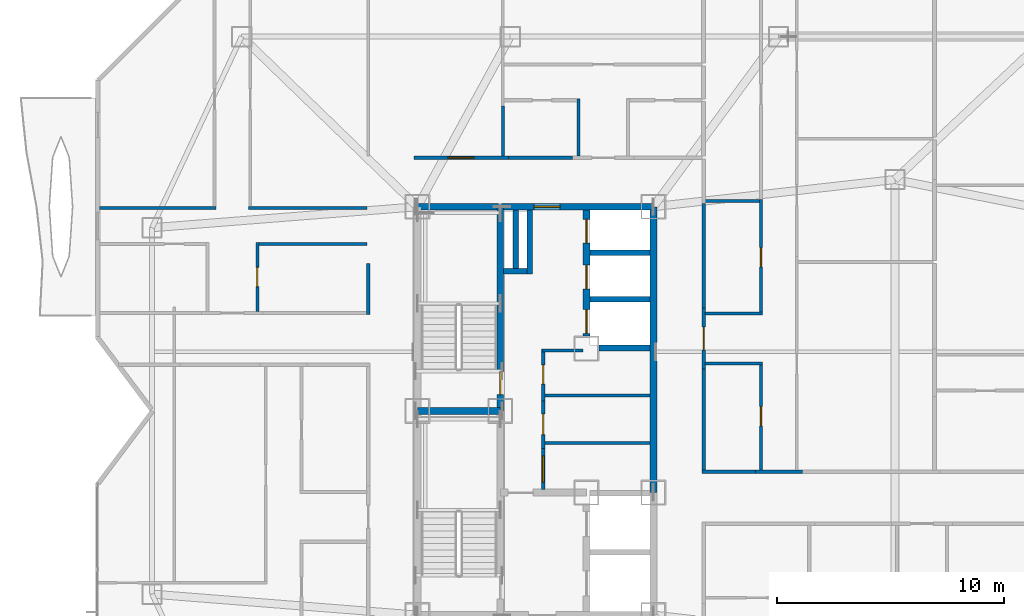
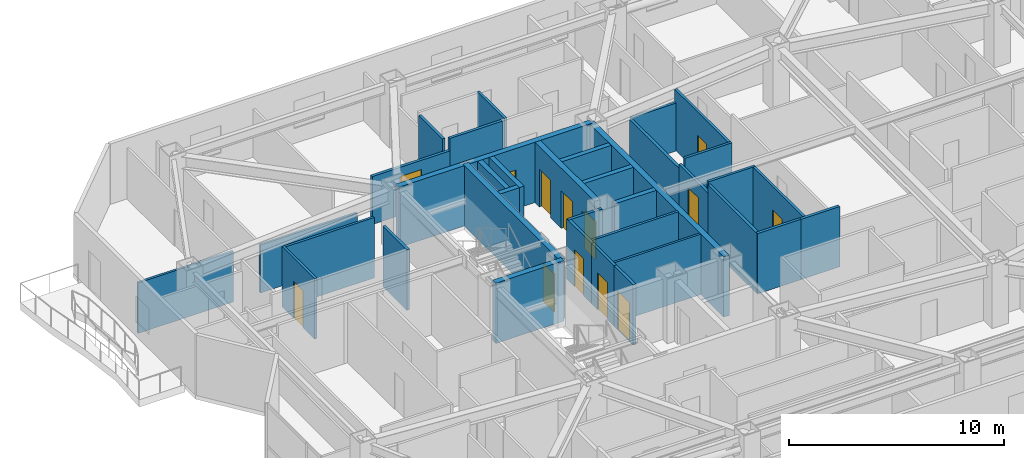
# One storey, part 12 of 17: 36 walls, 13 doors, 13 openings.
"""IFC4 building model written with IfcOpenShell, lengths in metres."""

from ifc_helpers import new_model, si_unit, direction, frame, frame_2d, origin, place, context, subcontext, project, spatial, rectangle, extrude, material, layer, layer_set, type_object, element, fill, save


model = new_model("IFC4")

# Units and contexts
model_context = context("Model", 3, precision=1e-05, world=origin(), true_north=direction((0.0, 1.0)))
body_context = subcontext(model_context, "Body", "Model", "MODEL_VIEW")
ifc_project = project(units=[si_unit("LENGTHUNIT", "METRE"), si_unit("AREAUNIT", "SQUARE_METRE"), si_unit("VOLUMEUNIT", "CUBIC_METRE"), si_unit("PLANEANGLEUNIT", "RADIAN"), si_unit("MASSUNIT", "GRAM", prefix="KILO")], contexts=[model_context])

# Site, building, storey
site_placement = place(None, origin())
site = spatial("IfcSite", under=ifc_project, at=site_placement, CompositionType="ELEMENT")
building_placement = place(site_placement, origin())
building = spatial("IfcBuilding", under=site, at=building_placement, Name="Khamvora Tower", CompositionType="ELEMENT")
storey_placement = place(building_placement, frame((0.0, 0.0, 192.39990234375)))
storey = spatial("IfcBuildingStorey", under=building, at=storey_placement, Name="L49", CompositionType="ELEMENT", Elevation=192.39990234375)

# Wall, opening, door
ifc_material_1 = material(Name="Concrete C50/60", Category="concrete")
ifc_layer_1 = layer(ifc_material_1, 0.300048828125)
ifc_layer_set_1 = layer_set([ifc_layer_1], Name="Concrete C50/60")
wall_type_1 = type_object("IfcWallType", Name="WAL-CORE-300", PredefinedType="SHEAR", material=ifc_layer_set_1)
wall_1_placement = place(storey_placement, frame((29.0, 37.0, 0.0), z_axis=(0.0, 0.0, 1.0), x_axis=(1.0, 0.0, 0.0)))
wall_1 = element("IfcWall", 1, at=wall_1_placement, inside=storey, type_object=wall_type_1, Name="L49 central core north wall", PredefinedType="SHEAR", context=body_context, shape_type="SweptSolid", body=[
    extrude(rectangle(XDim=10.39990234375, YDim=0.300048828125, at=frame_2d((5.199951171875, 0.0))), origin(), (0.0, 0.0, 1.0), 3.43017578125),
])
opening_1_placement = place(wall_1_placement, frame((5.139892578125, 0.0, 0.0)))
opening_1 = element("IfcOpeningElement", 2, at=opening_1_placement, cuts=wall_1, Name="Opening D-SC1", PredefinedType="OPENING", context=body_context, shape_type="SweptSolid", body=[
    extrude(rectangle(XDim=1.14990234375, YDim=2.199951171875, at=frame_2d((0.574951171875, 1.10009765625))), frame((0.0, 0.159912109375, 0.0), z_axis=(0.0, -1.0, 0.0), x_axis=(1.0, 0.0, 0.0)), (0.0, 0.0, 1.0), 0.320068359375),
])
ifc_material_2 = material(Name="Powder-Coated Steel and Hardwood Leaf", Category="steel")
door_type_1 = type_object("IfcDoorType", Name="DOR-SCHL-1150", OperationType="NOTDEFINED", PredefinedType="DOOR", material=ifc_material_2)
door_1_placement = place(opening_1_placement, origin())
door_1 = element("IfcDoor", 3, at=door_1_placement, inside=storey, type_object=door_type_1, Name="L49 north core lobby to corridor fire door", OperationType="SINGLE_SWING_RIGHT", OverallHeight=2.199951171875, OverallWidth=1.14990234375, PredefinedType="DOOR", context=body_context, shape_type="SweptSolid", body=[
    extrude(rectangle(XDim=1.14990234375, YDim=2.199951171875, at=frame_2d((0.574951171875, 1.10009765625))), frame((0.0, 0.02490234375, 0.0), z_axis=(0.0, -1.0, 0.0), x_axis=(1.0, 0.0, 0.0)), (0.0, 0.0, 1.0), 0.050048828125),
])
fill(opening_1, door_1)

# Wall
wall_2_placement = place(storey_placement, frame((39.39990234375, 24.39990234375, 0.0), z_axis=(0.0, 0.0, 1.0), x_axis=(0.0, 1.0, 0.0)))
element("IfcWall", 4, at=wall_2_placement, inside=storey, type_object=wall_type_1, Name="L49 central core east north wall", PredefinedType="SHEAR", context=body_context, shape_type="SweptSolid", body=[
    extrude(rectangle(XDim=12.60009765625, YDim=0.300048828125, at=frame_2d((6.300048828125, 0.0))), origin(), (0.0, 0.0, 1.0), 3.43017578125),
])

# Wall, opening, door
wall_3_placement = place(storey_placement, frame((32.64990234375, 28.0, 0.0), z_axis=(0.0, 0.0, 1.0), x_axis=(0.0, 1.0, 0.0)))
wall_3 = element("IfcWall", 5, at=wall_3_placement, inside=storey, type_object=wall_type_1, Name="L49 central core stair north spine wall", PredefinedType="SHEAR", context=body_context, shape_type="SweptSolid", body=[
    extrude(rectangle(XDim=9.0, YDim=0.300048828125, at=frame_2d((4.5, 0.0))), origin(), (0.0, 0.0, 1.0), 3.43017578125),
])
opening_2_placement = place(wall_3_placement, frame((0.719970703125, 0.0, 0.0)))
opening_2 = element("IfcOpeningElement", 6, at=opening_2_placement, cuts=wall_3, Name="Opening D-ST1", PredefinedType="OPENING", context=body_context, shape_type="SweptSolid", body=[
    extrude(rectangle(XDim=1.0, YDim=2.14990234375, at=frame_2d((0.5, 1.074951171875))), frame((0.0, 0.159912109375, 0.0), z_axis=(0.0, -1.0, 0.0), x_axis=(1.0, 0.0, 0.0)), (0.0, 0.0, 1.0), 0.320068359375),
])
door_type_2 = type_object("IfcDoorType", Name="DOR-STAIR-1000", OperationType="NOTDEFINED", PredefinedType="DOOR", material=ifc_material_2)
door_2_placement = place(opening_2_placement, origin())
door_2 = element("IfcDoor", 7, at=door_2_placement, inside=storey, type_object=door_type_2, Name="L49 exit stair ST-02 fire door", OperationType="SINGLE_SWING_RIGHT", OverallHeight=2.14990234375, OverallWidth=1.0, PredefinedType="DOOR", context=body_context, shape_type="SweptSolid", body=[
    extrude(rectangle(XDim=1.0, YDim=2.14990234375, at=frame_2d((0.5, 1.074951171875))), frame((0.0, 0.02490234375, 0.0), z_axis=(0.0, -1.0, 0.0), x_axis=(1.0, 0.0, 0.0)), (0.0, 0.0, 1.0), 0.050048828125),
])
fill(opening_2, door_2)

# Wall
wall_4_placement = place(storey_placement, frame((29.0, 28.0, 0.0), z_axis=(0.0, 0.0, 1.0), x_axis=(1.0, 0.0, 0.0)))
element("IfcWall", 8, at=wall_4_placement, inside=storey, type_object=wall_type_1, Name="L49 central core stair cross wall", PredefinedType="SHEAR", context=body_context, shape_type="SweptSolid", body=[
    extrude(rectangle(XDim=3.64990234375, YDim=0.300048828125, at=frame_2d((1.824951171875, 0.0))), origin(), (0.0, 0.0, 1.0), 3.43017578125),
])

# Wall, openings, doors
wall_5_placement = place(storey_placement, frame((36.449951171875, 31.300048828125, 0.0), z_axis=(0.0, 0.0, 1.0), x_axis=(0.0, 1.0, 0.0)))
wall_5 = element("IfcWall", 9, at=wall_5_placement, inside=storey, type_object=wall_type_1, Name="L49 central core lift bank central wall", PredefinedType="SHEAR", context=body_context, shape_type="SweptSolid", body=[
    extrude(rectangle(XDim=5.5458984375, YDim=0.300048828125, at=frame_2d((2.77294921875, 0.0))), origin(), (0.0, 0.0, 1.0), 3.43017578125),
])
opening_3_placement = place(wall_5_placement, frame((0.1201171875, 0.0, 0.0)))
opening_3 = element("IfcOpeningElement", 10, at=opening_3_placement, cuts=wall_5, Name="Opening LD-PL", PredefinedType="OPENING", context=body_context, shape_type="SweptSolid", body=[
    extrude(rectangle(XDim=1.050048828125, YDim=2.14990234375, at=frame_2d((0.52490234375, 1.074951171875))), frame((0.0, 0.159912109375, 0.0), z_axis=(0.0, -1.0, 0.0), x_axis=(1.0, 0.0, 0.0)), (0.0, 0.0, 1.0), 0.320068359375),
])
opening_4_placement = place(wall_5_placement, frame((2.074951171875, 0.0, 0.0)))
opening_4 = element("IfcOpeningElement", 11, at=opening_4_placement, cuts=wall_5, Name="Opening LD-PL", PredefinedType="OPENING", context=body_context, shape_type="SweptSolid", body=[
    extrude(rectangle(XDim=1.050048828125, YDim=2.14990234375, at=frame_2d((0.52490234375, 1.074951171875))), frame((0.0, 0.159912109375, 0.0), z_axis=(0.0, -1.0, 0.0), x_axis=(1.0, 0.0, 0.0)), (0.0, 0.0, 1.0), 0.320068359375),
])
opening_5_placement = place(wall_5_placement, frame((4.094970703125, 0.0, 0.0)))
opening_5 = element("IfcOpeningElement", 12, at=opening_5_placement, cuts=wall_5, Name="Opening LD-PL", PredefinedType="OPENING", context=body_context, shape_type="SweptSolid", body=[
    extrude(rectangle(XDim=1.050048828125, YDim=2.14990234375, at=frame_2d((0.52490234375, 1.074951171875))), frame((0.0, 0.159912109375, 0.0), z_axis=(0.0, -1.0, 0.0), x_axis=(1.0, 0.0, 0.0)), (0.0, 0.0, 1.0), 0.320068359375),
])
door_type_3 = type_object("IfcDoorType", Name="DOR-LIFT-1050", OperationType="SLIDING_TO_LEFT", PredefinedType="DOOR", material=ifc_material_2)
door_3_placement = place(opening_3_placement, origin())
door_3 = element("IfcDoor", 13, at=door_3_placement, inside=storey, type_object=door_type_3, Name="L49 lift landing sliding door PH-01", OperationType="SLIDING_TO_LEFT", OverallHeight=2.14990234375, OverallWidth=1.050048828125, PredefinedType="DOOR", context=body_context, shape_type="SweptSolid", body=[
    extrude(rectangle(XDim=1.050048828125, YDim=2.14990234375, at=frame_2d((0.52490234375, 1.074951171875))), frame((0.0, 0.02490234375, 0.0), z_axis=(0.0, -1.0, 0.0), x_axis=(1.0, 0.0, 0.0)), (0.0, 0.0, 1.0), 0.050048828125),
])
fill(opening_3, door_3)
door_4_placement = place(opening_4_placement, origin())
door_4 = element("IfcDoor", 14, at=door_4_placement, inside=storey, type_object=door_type_3, Name="L49 lift landing sliding door PH-02", OperationType="SLIDING_TO_LEFT", OverallHeight=2.14990234375, OverallWidth=1.050048828125, PredefinedType="DOOR", context=body_context, shape_type="SweptSolid", body=[
    extrude(rectangle(XDim=1.050048828125, YDim=2.14990234375, at=frame_2d((0.52490234375, 1.074951171875))), frame((0.0, 0.02490234375, 0.0), z_axis=(0.0, -1.0, 0.0), x_axis=(1.0, 0.0, 0.0)), (0.0, 0.0, 1.0), 0.050048828125),
])
fill(opening_4, door_4)
door_5_placement = place(opening_5_placement, origin())
door_5 = element("IfcDoor", 15, at=door_5_placement, inside=storey, type_object=door_type_3, Name="L49 lift landing sliding door PH-03", OperationType="SLIDING_TO_LEFT", OverallHeight=2.14990234375, OverallWidth=1.050048828125, PredefinedType="DOOR", context=body_context, shape_type="SweptSolid", body=[
    extrude(rectangle(XDim=1.050048828125, YDim=2.14990234375, at=frame_2d((0.52490234375, 1.074951171875))), frame((0.0, 0.02490234375, 0.0), z_axis=(0.0, -1.0, 0.0), x_axis=(1.0, 0.0, 0.0)), (0.0, 0.0, 1.0), 0.050048828125),
])
fill(opening_5, door_5)

# Wall
ifc_material_3 = material(Name="Fire-Rated Drywall and Steel Stud", Category="steel")
ifc_layer_2 = layer(ifc_material_3, 0.14990234375)
ifc_layer_set_2 = layer_set([ifc_layer_2], Name="Fire-Rated Drywall and Steel Stud")
wall_type_2 = type_object("IfcWallType", Name="WAL-CORR-150", PredefinedType="STANDARD", material=ifc_layer_set_2)
wall_6_placement = place(storey_placement, frame((36.300048828125, 30.6650390625, 0.0), z_axis=(0.0, 0.0, 1.0), x_axis=(-1.0, 0.0, 0.0)))
element("IfcWall", 16, at=wall_6_placement, inside=storey, type_object=wall_type_2, Name="L49 interior partition wall 001", PredefinedType="STANDARD", context=body_context, shape_type="SweptSolid", body=[
    extrude(rectangle(XDim=1.820068359375, YDim=0.14990234375, at=frame_2d((0.91015625, 0.0))), origin(), (0.0, 0.0, 1.0), 3.43017578125),
])

# Wall, opening, door
wall_7_placement = place(storey_placement, frame((34.544921875, 30.72998046875, 0.0), z_axis=(0.0, 0.0, 1.0), x_axis=(0.0, -1.0, 0.0)))
wall_7 = element("IfcWall", 17, at=wall_7_placement, inside=storey, type_object=wall_type_2, Name="L49 interior partition wall 002", PredefinedType="STANDARD", context=body_context, shape_type="SweptSolid", body=[
    extrude(rectangle(XDim=2.2939453125, YDim=0.14990234375, at=frame_2d((1.14697265625, 0.0))), origin(), (0.0, 0.0, 1.0), 3.43017578125),
])
opening_6_placement = place(wall_7_placement, frame((0.700927734375, 0.0, 0.0)))
opening_6 = element("IfcOpeningElement", 18, at=opening_6_placement, cuts=wall_7, Name="Opening D-WC1", PredefinedType="OPENING", context=body_context, shape_type="SweptSolid", body=[
    extrude(rectangle(XDim=0.85009765625, YDim=2.10009765625, at=frame_2d((0.425048828125, 1.050048828125))), frame((0.0, 0.0849609375, 0.0), z_axis=(0.0, -1.0, 0.0), x_axis=(1.0, 0.0, 0.0)), (0.0, 0.0, 1.0), 0.169921875),
])
door_type_4 = type_object("IfcDoorType", Name="DOR-WET-850", OperationType="NOTDEFINED", PredefinedType="DOOR", material=ifc_material_2)
door_6_placement = place(opening_6_placement, origin())
door_6 = element("IfcDoor", 19, at=door_6_placement, inside=storey, type_object=door_type_4, Name="L49 interior door PHL-CS1", OperationType="SINGLE_SWING_LEFT", OverallHeight=2.10009765625, OverallWidth=0.85009765625, PredefinedType="DOOR", context=body_context, shape_type="SweptSolid", body=[
    extrude(rectangle(XDim=0.85009765625, YDim=2.10009765625, at=frame_2d((0.425048828125, 1.050048828125))), frame((0.0, 0.02490234375, 0.0), z_axis=(0.0, -1.0, 0.0), x_axis=(1.0, 0.0, 0.0)), (0.0, 0.0, 1.0), 0.050048828125),
])
fill(opening_6, door_6)

wall_8_placement = place(storey_placement, frame((34.544921875, 28.43603515625, 0.0), z_axis=(0.0, 0.0, 1.0), x_axis=(0.0, -1.0, 0.0)))
wall_8 = element("IfcWall", 20, at=wall_8_placement, inside=storey, type_object=wall_type_2, Name="L49 interior partition wall 003", PredefinedType="STANDARD", context=body_context, shape_type="SweptSolid", body=[
    extrude(rectangle(XDim=2.10009765625, YDim=0.14990234375, at=frame_2d((1.050048828125, 0.0))), origin(), (0.0, 0.0, 1.0), 3.43017578125),
])
opening_7_placement = place(wall_8_placement, frame((0.5791015625, 0.0, 0.0)))
opening_7 = element("IfcOpeningElement", 21, at=opening_7_placement, cuts=wall_8, Name="Opening D-RM1", PredefinedType="OPENING", context=body_context, shape_type="SweptSolid", body=[
    extrude(rectangle(XDim=0.89990234375, YDim=2.10009765625, at=frame_2d((0.449951171875, 1.050048828125))), frame((0.0, 0.0849609375, 0.0), z_axis=(0.0, -1.0, 0.0), x_axis=(1.0, 0.0, 0.0)), (0.0, 0.0, 1.0), 0.169921875),
])
door_type_5 = type_object("IfcDoorType", Name="DOR-ROOM-900", OperationType="NOTDEFINED", PredefinedType="DOOR", material=ifc_material_2)
door_7_placement = place(opening_7_placement, origin())
door_7 = element("IfcDoor", 22, at=door_7_placement, inside=storey, type_object=door_type_5, Name="L49 interior door PHL-CS2", OperationType="SINGLE_SWING_RIGHT", OverallHeight=2.10009765625, OverallWidth=0.89990234375, PredefinedType="DOOR", context=body_context, shape_type="SweptSolid", body=[
    extrude(rectangle(XDim=0.89990234375, YDim=2.10009765625, at=frame_2d((0.449951171875, 1.050048828125))), frame((0.0, 0.02490234375, 0.0), z_axis=(0.0, -1.0, 0.0), x_axis=(1.0, 0.0, 0.0)), (0.0, 0.0, 1.0), 0.050048828125),
])
fill(opening_7, door_7)

wall_9_placement = place(storey_placement, frame((34.544921875, 26.3359375, 0.0), z_axis=(0.0, 0.0, 1.0), x_axis=(0.0, -1.0, 0.0)))
wall_9 = element("IfcWall", 23, at=wall_9_placement, inside=storey, type_object=wall_type_2, Name="L49 interior partition wall 004", PredefinedType="STANDARD", context=body_context, shape_type="SweptSolid", body=[
    extrude(rectangle(XDim=1.7919921875, YDim=0.14990234375, at=frame_2d((0.89599609375, 0.0))), origin(), (0.0, 0.0, 1.0), 3.43017578125),
])
opening_8_placement = place(wall_9_placement, frame((0.321044921875, 0.0, 0.0)))
opening_8 = element("IfcOpeningElement", 24, at=opening_8_placement, cuts=wall_9, Name="Opening D-SC1", PredefinedType="OPENING", context=body_context, shape_type="SweptSolid", body=[
    extrude(rectangle(XDim=1.14990234375, YDim=2.199951171875, at=frame_2d((0.574951171875, 1.10009765625))), frame((0.0, 0.0849609375, 0.0), z_axis=(0.0, -1.0, 0.0), x_axis=(1.0, 0.0, 0.0)), (0.0, 0.0, 1.0), 0.169921875),
])
door_8_placement = place(opening_8_placement, origin())
door_8 = element("IfcDoor", 25, at=door_8_placement, inside=storey, type_object=door_type_1, Name="L49 interior door PHL-CS3", OperationType="SINGLE_SWING_LEFT", OverallHeight=2.199951171875, OverallWidth=1.14990234375, PredefinedType="DOOR", context=body_context, shape_type="SweptSolid", body=[
    extrude(rectangle(XDim=1.14990234375, YDim=2.199951171875, at=frame_2d((0.574951171875, 1.10009765625))), frame((0.0, 0.02490234375, 0.0), z_axis=(0.0, -1.0, 0.0), x_axis=(1.0, 0.0, 0.0)), (0.0, 0.0, 1.0), 0.050048828125),
])
fill(opening_8, door_8)

wall_10_placement = place(storey_placement, frame((28.85009765625, 39.1650390625, 0.0), z_axis=(0.0, 0.0, 1.0), x_axis=(1.0, 0.0, 0.0)))
wall_10 = element("IfcWall", 26, at=wall_10_placement, inside=storey, type_object=wall_type_2, Name="L49 interior partition wall 007", PredefinedType="STANDARD", context=body_context, shape_type="SweptSolid", body=[
    extrude(rectangle(XDim=4.163818359375, YDim=0.14990234375, at=frame_2d((2.08203125, 0.0))), origin(), (0.0, 0.0, 1.0), 2.72509765625),
])
opening_9_placement = place(wall_10_placement, frame((1.486083984375, 0.0, 0.0)))
opening_9 = element("IfcOpeningElement", 27, at=opening_9_placement, cuts=wall_10, Name="Opening D-SC1", PredefinedType="OPENING", context=body_context, shape_type="SweptSolid", body=[
    extrude(rectangle(XDim=1.14990234375, YDim=2.199951171875, at=frame_2d((0.574951171875, 1.10009765625))), frame((0.0, 0.0849609375, 0.0), z_axis=(0.0, -1.0, 0.0), x_axis=(1.0, 0.0, 0.0)), (0.0, 0.0, 1.0), 0.169921875),
])
door_9_placement = place(opening_9_placement, origin())
door_9 = element("IfcDoor", 28, at=door_9_placement, inside=storey, type_object=door_type_1, Name="L49 interior door COR-FSTD", OperationType="SINGLE_SWING_RIGHT", OverallHeight=2.199951171875, OverallWidth=1.14990234375, PredefinedType="DOOR", context=body_context, shape_type="SweptSolid", body=[
    extrude(rectangle(XDim=1.14990234375, YDim=2.199951171875, at=frame_2d((0.574951171875, 1.10009765625))), frame((0.0, 0.02490234375, 0.0), z_axis=(0.0, -1.0, 0.0), x_axis=(1.0, 0.0, 0.0)), (0.0, 0.0, 1.0), 0.050048828125),
])
fill(opening_9, door_9)

# Walls
wall_11_placement = place(storey_placement, frame((26.8349609375, 32.251953125, 0.0), z_axis=(0.0, 0.0, 1.0), x_axis=(0.0, 1.0, 0.0)))
element("IfcWall", 29, at=wall_11_placement, inside=storey, type_object=wall_type_2, Name="L49 interior partition wall 019", PredefinedType="STANDARD", context=body_context, shape_type="SweptSolid", body=[
    extrude(rectangle(XDim=2.248046875, YDim=0.14990234375, at=frame_2d((1.1240234375, 0.0))), origin(), (0.0, 0.0, 1.0), 3.43017578125),
])
wall_12_placement = place(storey_placement, frame((33.013916015625, 39.1650390625, 0.0), z_axis=(0.0, 0.0, 1.0), x_axis=(1.0, 0.0, 0.0)))
element("IfcWall", 30, at=wall_12_placement, inside=storey, type_object=wall_type_2, Name="L49 interior partition wall 024", PredefinedType="STANDARD", context=body_context, shape_type="SweptSolid", body=[
    extrude(rectangle(XDim=2.8271484375, YDim=0.14990234375, at=frame_2d((1.41357421875, 0.0))), origin(), (0.0, 0.0, 1.0), 3.43017578125),
])

# Wall, opening, door
wall_13_placement = place(storey_placement, frame((41.614990234375, 32.5400390625, 0.0), z_axis=(0.0, 0.0, 1.0), x_axis=(0.0, -1.0, 0.0)))
wall_13 = element("IfcWall", 31, at=wall_13_placement, inside=storey, type_object=wall_type_2, Name="L49 interior partition wall 035", PredefinedType="STANDARD", context=body_context, shape_type="SweptSolid", body=[
    extrude(rectangle(XDim=2.697998046875, YDim=0.14990234375, at=frame_2d((1.34912109375, 0.0))), origin(), (0.0, 0.0, 1.0), 2.961181640625),
])
opening_10_placement = place(wall_13_placement, frame((0.84912109375, 0.0, 0.0)))
opening_10 = element("IfcOpeningElement", 32, at=opening_10_placement, cuts=wall_13, Name="Opening D-U1", PredefinedType="OPENING", context=body_context, shape_type="SweptSolid", body=[
    extrude(rectangle(XDim=1.0, YDim=2.14990234375, at=frame_2d((0.5, 1.074951171875))), frame((0.0, 0.0849609375, 0.0), z_axis=(0.0, -1.0, 0.0), x_axis=(1.0, 0.0, 0.0)), (0.0, 0.0, 1.0), 0.169921875),
])
door_type_6 = type_object("IfcDoorType", Name="DOR-UNIT-1000", OperationType="NOTDEFINED", PredefinedType="DOOR", material=ifc_material_2)
door_10_placement = place(opening_10_placement, origin())
door_10 = element("IfcDoor", 33, at=door_10_placement, inside=storey, type_object=door_type_6, Name="L49 interior door COR-49EBH", OperationType="SINGLE_SWING_RIGHT", OverallHeight=2.14990234375, OverallWidth=1.0, PredefinedType="DOOR", context=body_context, shape_type="SweptSolid", body=[
    extrude(rectangle(XDim=1.0, YDim=2.14990234375, at=frame_2d((0.5, 1.074951171875))), frame((0.0, 0.02490234375, 0.0), z_axis=(0.0, -1.0, 0.0), x_axis=(1.0, 0.0, 0.0)), (0.0, 0.0, 1.0), 0.050048828125),
])
fill(opening_10, door_10)

# Walls
wall_14_placement = place(storey_placement, frame((43.89599609375, 25.31494140625, 0.0), z_axis=(0.0, 0.0, 1.0), x_axis=(1.0, 0.0, 0.0)))
element("IfcWall", 34, at=wall_14_placement, inside=storey, type_object=wall_type_2, Name="L49 interior partition wall 036", PredefinedType="STANDARD", context=body_context, shape_type="SweptSolid", body=[
    extrude(rectangle(XDim=2.078125, YDim=0.14990234375, at=frame_2d((1.0390625, 0.0))), origin(), (0.0, 0.0, 1.0), 3.43017578125),
])
wall_15_placement = place(storey_placement, frame((41.614990234375, 29.842041015625, 0.0), z_axis=(0.0, 0.0, 1.0), x_axis=(0.0, -1.0, 0.0)))
element("IfcWall", 35, at=wall_15_placement, inside=storey, type_object=wall_type_2, Name="L49 interior partition wall 037", PredefinedType="STANDARD", context=body_context, shape_type="SweptSolid", body=[
    extrude(rectangle(XDim=4.592041015625, YDim=0.14990234375, at=frame_2d((2.2958984375, 0.0))), origin(), (0.0, 0.0, 1.0), 3.43017578125),
])
wall_16_placement = place(storey_placement, frame((41.550048828125, 25.31494140625, 0.0), z_axis=(0.0, 0.0, 1.0), x_axis=(1.0, 0.0, 0.0)))
element("IfcWall", 36, at=wall_16_placement, inside=storey, type_object=wall_type_2, Name="L49 interior partition wall 038", PredefinedType="STANDARD", context=body_context, shape_type="SweptSolid", body=[
    extrude(rectangle(XDim=2.345947265625, YDim=0.14990234375, at=frame_2d((1.1728515625, 0.0))), origin(), (0.0, 0.0, 1.0), 3.43017578125),
])
wall_17_placement = place(storey_placement, frame((41.614990234375, 37.14990234375, 0.0), z_axis=(0.0, 0.0, 1.0), x_axis=(0.0, -1.0, 0.0)))
element("IfcWall", 37, at=wall_17_placement, inside=storey, type_object=wall_type_2, Name="L49 interior partition wall 039", PredefinedType="STANDARD", context=body_context, shape_type="SweptSolid", body=[
    extrude(rectangle(XDim=4.60986328125, YDim=0.14990234375, at=frame_2d((2.304931640625, 0.0))), origin(), (0.0, 0.0, 1.0), 2.72509765625),
])
ifc_material_4 = material(Name="Gypsum Plasterboard Partition", Category="gypsum")
ifc_layer_3 = layer(ifc_material_4, 0.1201171875)
ifc_layer_set_3 = layer_set([ifc_layer_3], Name="Gypsum Plasterboard Partition")
wall_type_3 = type_object("IfcWallType", Name="WAL-PART-120", PredefinedType="PARTITIONING", material=ifc_layer_set_3)
wall_18_placement = place(storey_placement, frame((39.256103515625, 26.5849609375, 0.0), z_axis=(0.0, 0.0, 1.0), x_axis=(-1.0, 0.0, 0.0)))
element("IfcWall", 38, at=wall_18_placement, inside=storey, type_object=wall_type_3, Name="L49 interior partition wall 006", PredefinedType="PARTITIONING", context=body_context, shape_type="SweptSolid", body=[
    extrude(rectangle(XDim=4.64404296875, YDim=0.1201171875, at=frame_2d((2.322021484375, 0.0))), origin(), (0.0, 0.0, 1.0), 3.43017578125),
])
wall_19_placement = place(storey_placement, frame((14.991943359375, 36.94091796875, 0.0), z_axis=(0.0, 0.0, 1.0), x_axis=(1.0, 0.0, 0.0)))
element("IfcWall", 39, at=wall_19_placement, inside=storey, type_object=wall_type_3, Name="L49 interior partition wall 069", PredefinedType="PARTITIONING", context=body_context, shape_type="SweptSolid", body=[
    extrude(rectangle(XDim=5.128173828125, YDim=0.1201171875, at=frame_2d((2.56396484375, 0.0))), origin(), (0.0, 0.0, 1.0), 2.8759765625),
])
wall_20_placement = place(storey_placement, frame((21.56005859375, 36.94091796875, 0.0), z_axis=(0.0, 0.0, 1.0), x_axis=(1.0, 0.0, 0.0)))
element("IfcWall", 40, at=wall_20_placement, inside=storey, type_object=wall_type_3, Name="L49 interior partition wall 072", PredefinedType="PARTITIONING", context=body_context, shape_type="SweptSolid", body=[
    extrude(rectangle(XDim=5.2099609375, YDim=0.1201171875, at=frame_2d((2.60498046875, 0.0))), origin(), (0.0, 0.0, 1.0), 2.72509765625),
])
ifc_material_5 = material(Name="Concrete C40/50", Category="concrete")
ifc_layer_4 = layer(ifc_material_5, 0.25)
ifc_layer_set_4 = layer_set([ifc_layer_4], Name="Concrete C40/50")
wall_type_4 = type_object("IfcWallType", Name="WAL-PODS-250", PredefinedType="SHEAR", material=ifc_layer_set_4)
wall_21_placement = place(storey_placement, frame((37.00390625, 30.77490234375, 0.0), z_axis=(0.0, 0.0, 1.0), x_axis=(1.0, 0.0, 0.0)))
element("IfcWall", 41, at=wall_21_placement, inside=storey, type_object=wall_type_4, Name="L49 high-rise lift shaft south enclosure wall PH-01", PredefinedType="SHEAR", context=body_context, shape_type="SweptSolid", body=[
    extrude(rectangle(XDim=2.2421875, YDim=0.25, at=frame_2d((1.12109375, 0.0))), origin(), (0.0, 0.0, 1.0), 3.43017578125),
])
for number, where, z_axis, x_axis, name in (
    (42, (36.60400390625, 32.925048828125, 0.0), (0.0, 0.0, 1.0), (1.0, 0.0, 0.0), "L49 lift shaft divider wall PH-01"),
    (43, (36.60400390625, 34.97509765625, 0.0), (0.0, 0.0, 1.0), (1.0, 0.0, 0.0), "L49 lift shaft divider wall PH-02"),
):
    element("IfcWall", number, at=place(storey_placement, frame(where, z_axis=z_axis, x_axis=x_axis)), inside=storey, type_object=wall_type_4, Name=name, PredefinedType="SHEAR", context=body_context, shape_type="SweptSolid", body=[
        extrude(rectangle(XDim=2.64208984375, YDim=0.25, at=frame_2d((1.321044921875, 0.0))), origin(), (0.0, 0.0, 1.0), 3.43017578125),
    ])
wall_22_placement = place(storey_placement, frame((33.955078125, 34.02490234375, 0.0), z_axis=(0.0, 0.0, 1.0), x_axis=(0.0, 1.0, 0.0)))
element("IfcWall", 44, at=wall_22_placement, inside=storey, type_object=wall_type_4, Name="L49 vertical MEP riser shaft east enclosure wall", PredefinedType="SHEAR", context=body_context, shape_type="SweptSolid", body=[
    extrude(rectangle(XDim=2.821044921875, YDim=0.25, at=frame_2d((1.41064453125, 0.0))), origin(), (0.0, 0.0, 1.0), 3.43017578125),
])
wall_23_placement = place(storey_placement, frame((32.803955078125, 34.14990234375, 0.0), z_axis=(0.0, 0.0, 1.0), x_axis=(1.0, 0.0, 0.0)))
element("IfcWall", 45, at=wall_23_placement, inside=storey, type_object=wall_type_4, Name="L49 vertical MEP riser shaft south enclosure wall", PredefinedType="SHEAR", context=body_context, shape_type="SweptSolid", body=[
    extrude(rectangle(XDim=1.02197265625, YDim=0.25, at=frame_2d((0.510986328125, 0.0))), origin(), (0.0, 0.0, 1.0), 3.43017578125),
])
wall_24_placement = place(storey_placement, frame((33.340087890625, 34.279052734375, 0.0), z_axis=(0.0, 0.0, 1.0), x_axis=(0.0, 1.0, 0.0)))
element("IfcWall", 46, at=wall_24_placement, inside=storey, type_object=wall_type_4, Name="L49 vertical MEP riser shaft divider enclosure wall", PredefinedType="SHEAR", context=body_context, shape_type="SweptSolid", body=[
    extrude(rectangle(XDim=2.56689453125, YDim=0.25, at=frame_2d((1.283447265625, 0.0))), origin(), (0.0, 0.0, 1.0), 3.43017578125),
])
ifc_material_6 = material(Name="Moisture-Resistant Plasterboard Partition", Category="gypsum")
ifc_layer_5 = layer(ifc_material_6, 0.135009765625)
ifc_layer_set_5 = layer_set([ifc_layer_5], Name="Moisture-Resistant Plasterboard Partition")
wall_type_5 = type_object("IfcWallType", Name="WAL-WET-135", PredefinedType="PARTITIONING", material=ifc_layer_set_5)
wall_25_placement = place(storey_placement, frame((39.256103515625, 28.68505859375, 0.0), z_axis=(0.0, 0.0, 1.0), x_axis=(-1.0, 0.0, 0.0)))
element("IfcWall", 47, at=wall_25_placement, inside=storey, type_object=wall_type_5, Name="L49 interior partition wall 005", PredefinedType="PARTITIONING", context=body_context, shape_type="SweptSolid", body=[
    extrude(rectangle(XDim=4.64404296875, YDim=0.135009765625, at=frame_2d((2.322021484375, 0.0))), origin(), (0.0, 0.0, 1.0), 3.43017578125),
])
wall_26_placement = place(storey_placement, frame((32.764892578125, 41.446044921875, 0.0), z_axis=(0.0, 0.0, 1.0), x_axis=(0.0, -1.0, 0.0)))
element("IfcWall", 48, at=wall_26_placement, inside=storey, type_object=wall_type_5, Name="L49 interior partition wall 046", PredefinedType="PARTITIONING", context=body_context, shape_type="SweptSolid", body=[
    extrude(rectangle(XDim=2.214111328125, YDim=0.135009765625, at=frame_2d((1.10693359375, 0.0))), origin(), (0.0, 0.0, 1.0), 3.43017578125),
])
wall_27_placement = place(storey_placement, frame((26.77001953125, 35.361083984375, 0.0), z_axis=(0.0, 0.0, 1.0), x_axis=(-1.0, 0.0, 0.0)))
element("IfcWall", 49, at=wall_27_placement, inside=storey, type_object=wall_type_5, Name="L49 interior partition wall 067", PredefinedType="PARTITIONING", context=body_context, shape_type="SweptSolid", body=[
    extrude(rectangle(XDim=4.89501953125, YDim=0.135009765625, at=frame_2d((2.447509765625, 0.0))), origin(), (0.0, 0.0, 1.0), 3.43017578125),
])

# Wall, opening, door
wall_28_placement = place(storey_placement, frame((21.93994140625, 35.426025390625, 0.0), z_axis=(0.0, 0.0, 1.0), x_axis=(0.0, -1.0, 0.0)))
wall_28 = element("IfcWall", 50, at=wall_28_placement, inside=storey, type_object=wall_type_5, Name="L49 interior partition wall 068", PredefinedType="PARTITIONING", context=body_context, shape_type="SweptSolid", body=[
    extrude(rectangle(XDim=3.046142578125, YDim=0.135009765625, at=frame_2d((1.52294921875, 0.0))), origin(), (0.0, 0.0, 1.0), 3.43017578125),
])
opening_11_placement = place(wall_28_placement, frame((1.097900390625, 0.0, 0.0)))
opening_11 = element("IfcOpeningElement", 51, at=opening_11_placement, cuts=wall_28, Name="Opening D-RM2", PredefinedType="OPENING", context=body_context, shape_type="SweptSolid", body=[
    extrude(rectangle(XDim=0.85009765625, YDim=2.10009765625, at=frame_2d((0.425048828125, 1.050048828125))), frame((0.0, 0.077392578125, 0.0), z_axis=(0.0, -1.0, 0.0), x_axis=(1.0, 0.0, 0.0)), (0.0, 0.0, 1.0), 0.155029296875),
])
door_type_7 = type_object("IfcDoorType", Name="DOR-ROOM-850", OperationType="NOTDEFINED", PredefinedType="DOOR", material=ifc_material_2)
door_11_placement = place(opening_11_placement, origin())
door_11 = element("IfcDoor", 52, at=door_11_placement, inside=storey, type_object=door_type_7, Name="L49 interior door 49WBH-49WBK", OperationType="SINGLE_SWING_RIGHT", OverallHeight=2.10009765625, OverallWidth=0.85009765625, PredefinedType="DOOR", context=body_context, shape_type="SweptSolid", body=[
    extrude(rectangle(XDim=0.85009765625, YDim=2.10009765625, at=frame_2d((0.425048828125, 1.050048828125))), frame((0.0, 0.02490234375, 0.0), z_axis=(0.0, -1.0, 0.0), x_axis=(1.0, 0.0, 0.0)), (0.0, 0.0, 1.0), 0.050048828125),
])
fill(opening_11, door_11)

# Walls
wall_29_placement = place(storey_placement, frame((36.090087890625, 39.23193359375, 0.0), z_axis=(0.0, 0.0, 1.0), x_axis=(0.0, 1.0, 0.0)))
element("IfcWall", 53, at=wall_29_placement, inside=storey, type_object=wall_type_5, Name="L49 interior partition wall 084", PredefinedType="PARTITIONING", context=body_context, shape_type="SweptSolid", body=[
    extrude(rectangle(XDim=2.528076171875, YDim=0.135009765625, at=frame_2d((1.26416015625, 0.0))), origin(), (0.0, 0.0, 1.0), 3.43017578125),
])
wall_30_placement = place(storey_placement, frame((44.080078125, 37.256103515625, 0.0), z_axis=(0.0, 0.0, 1.0), x_axis=(-1.0, 0.0, 0.0)))
element("IfcWall", 54, at=wall_30_placement, inside=storey, type_object=wall_type_5, Name="L49 interior partition wall 109", PredefinedType="PARTITIONING", context=body_context, shape_type="SweptSolid", body=[
    extrude(rectangle(XDim=2.398193359375, YDim=0.135009765625, at=frame_2d((1.19921875, 0.0))), origin(), (0.0, 0.0, 1.0), 2.72509765625),
])

# Wall, opening, door
wall_31_placement = place(storey_placement, frame((44.14501953125, 25.382080078125, 0.0), z_axis=(0.0, 0.0, 1.0), x_axis=(0.0, 1.0, 0.0)))
wall_31 = element("IfcWall", 55, at=wall_31_placement, inside=storey, type_object=wall_type_5, Name="L49 interior partition wall 110", PredefinedType="PARTITIONING", context=body_context, shape_type="SweptSolid", body=[
    extrude(rectangle(XDim=4.77392578125, YDim=0.135009765625, at=frame_2d((2.386962890625, 0.0))), origin(), (0.0, 0.0, 1.0), 3.43017578125),
])
opening_12_placement = place(wall_31_placement, frame((1.9619140625, 0.0, 0.0)))
opening_12 = element("IfcOpeningElement", 56, at=opening_12_placement, cuts=wall_31, Name="Opening D-WC1", PredefinedType="OPENING", context=body_context, shape_type="SweptSolid", body=[
    extrude(rectangle(XDim=0.85009765625, YDim=2.10009765625, at=frame_2d((0.425048828125, 1.050048828125))), frame((0.0, 0.077392578125, 0.0), z_axis=(0.0, -1.0, 0.0), x_axis=(1.0, 0.0, 0.0)), (0.0, 0.0, 1.0), 0.155029296875),
])
door_12_placement = place(opening_12_placement, origin())
door_12 = element("IfcDoor", 57, at=door_12_placement, inside=storey, type_object=door_type_4, Name="L49 interior door 49EBH-49EBB", OperationType="SINGLE_SWING_LEFT", OverallHeight=2.10009765625, OverallWidth=0.85009765625, PredefinedType="DOOR", context=body_context, shape_type="SweptSolid", body=[
    extrude(rectangle(XDim=0.85009765625, YDim=2.10009765625, at=frame_2d((0.425048828125, 1.050048828125))), frame((0.0, 0.02490234375, 0.0), z_axis=(0.0, -1.0, 0.0), x_axis=(1.0, 0.0, 0.0)), (0.0, 0.0, 1.0), 0.050048828125),
])
fill(opening_12, door_12)

# Walls
for number, where, z_axis, x_axis, name in (
    (58, (44.2099609375, 30.091064453125, 0.0), (0.0, 0.0, 1.0), (-1.0, 0.0, 0.0), "L49 interior partition wall 111"),
    (59, (41.681884765625, 32.291015625, 0.0), (0.0, 0.0, 1.0), (1.0, 0.0, 0.0), "L49 interior partition wall 112"),
):
    element("IfcWall", number, at=place(storey_placement, frame(where, z_axis=z_axis, x_axis=x_axis)), inside=storey, type_object=wall_type_5, Name=name, PredefinedType="PARTITIONING", context=body_context, shape_type="SweptSolid", body=[
        extrude(rectangle(XDim=2.528076171875, YDim=0.135009765625, at=frame_2d((1.26416015625, 0.0))), origin(), (0.0, 0.0, 1.0), 3.43017578125),
    ])

# Wall, opening, door
wall_32_placement = place(storey_placement, frame((44.14501953125, 32.22607421875, 0.0), z_axis=(0.0, 0.0, 1.0), x_axis=(0.0, 1.0, 0.0)))
wall_32 = element("IfcWall", 60, at=wall_32_placement, inside=storey, type_object=wall_type_5, Name="L49 interior partition wall 113", PredefinedType="PARTITIONING", context=body_context, shape_type="SweptSolid", body=[
    extrude(rectangle(XDim=5.094970703125, YDim=0.135009765625, at=frame_2d((2.54736328125, 0.0))), origin(), (0.0, 0.0, 1.0), 3.43017578125),
])
opening_13_placement = place(wall_32_placement, frame((2.123046875, 0.0, 0.0)))
opening_13 = element("IfcOpeningElement", 61, at=opening_13_placement, cuts=wall_32, Name="Opening D-RM2", PredefinedType="OPENING", context=body_context, shape_type="SweptSolid", body=[
    extrude(rectangle(XDim=0.85009765625, YDim=2.10009765625, at=frame_2d((0.425048828125, 1.050048828125))), frame((0.0, 0.077392578125, 0.0), z_axis=(0.0, -1.0, 0.0), x_axis=(1.0, 0.0, 0.0)), (0.0, 0.0, 1.0), 0.155029296875),
])
door_13_placement = place(opening_13_placement, origin())
door_13 = element("IfcDoor", 62, at=door_13_placement, inside=storey, type_object=door_type_7, Name="L49 interior door 49EBH-49EBK", OperationType="SINGLE_SWING_RIGHT", OverallHeight=2.10009765625, OverallWidth=0.85009765625, PredefinedType="DOOR", context=body_context, shape_type="SweptSolid", body=[
    extrude(rectangle(XDim=0.85009765625, YDim=2.10009765625, at=frame_2d((0.425048828125, 1.050048828125))), frame((0.0, 0.02490234375, 0.0), z_axis=(0.0, -1.0, 0.0), x_axis=(1.0, 0.0, 0.0)), (0.0, 0.0, 1.0), 0.050048828125),
])
fill(opening_13, door_13)

save(model, "model.ifc")
